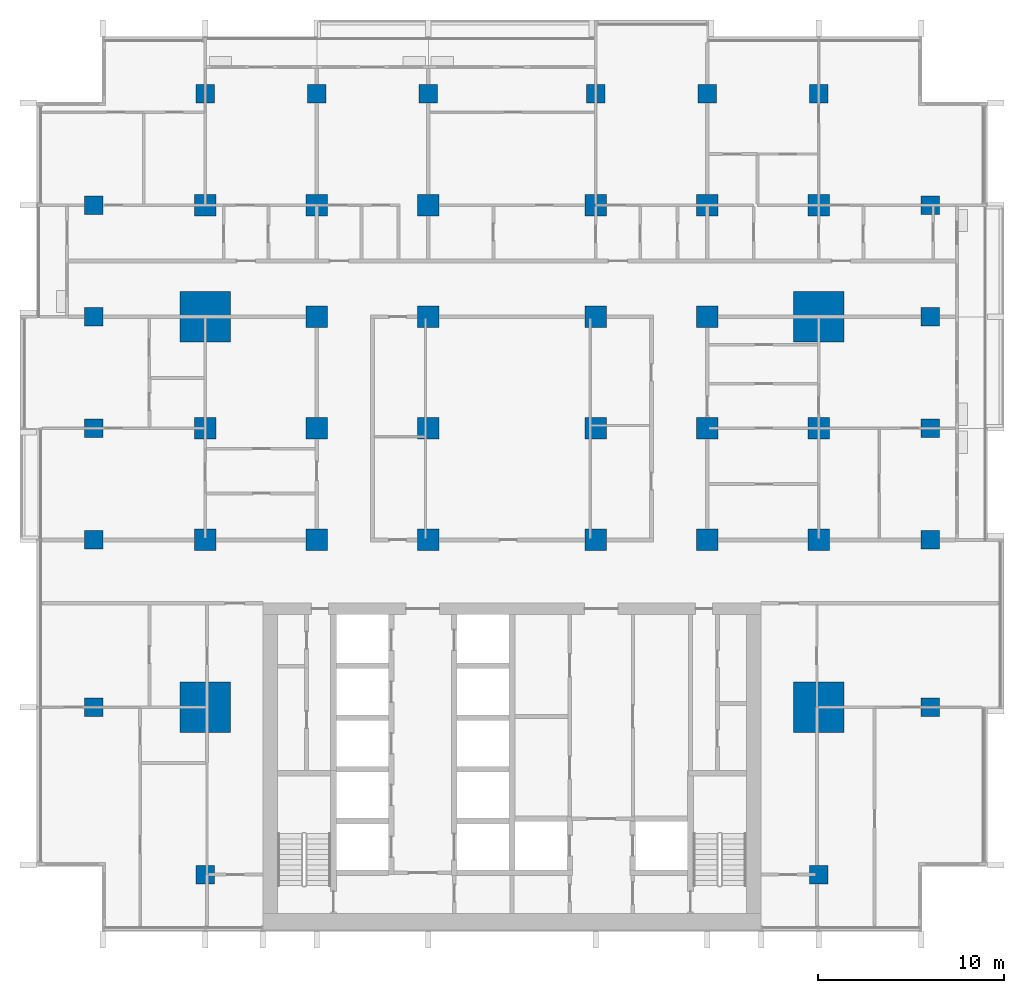
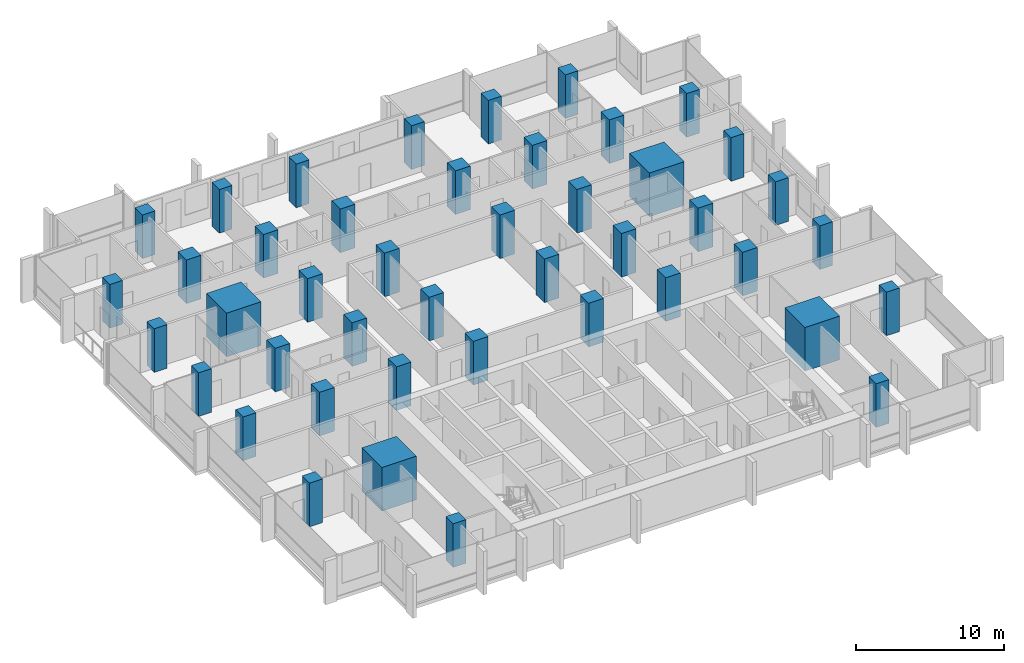
# One storey, part 1 of 18: 44 columns.
"""IFC4 building model written with IfcOpenShell, lengths in metres."""

from ifc_helpers import new_model, si_unit, direction, frame, origin, origin_2d, place, context, subcontext, project, spatial, rectangle, extrude, material, material_profile, profile_set, type_object, element, save


model = new_model("IFC4")

# Units and contexts
model_context = context("Model", 3, precision=1e-05, world=origin(), true_north=direction((0.0, 1.0)))
body_context = subcontext(model_context, "Body", "Model", "MODEL_VIEW")
ifc_project = project(units=[si_unit("LENGTHUNIT", "METRE"), si_unit("AREAUNIT", "SQUARE_METRE"), si_unit("VOLUMEUNIT", "CUBIC_METRE"), si_unit("PLANEANGLEUNIT", "RADIAN"), si_unit("MASSUNIT", "GRAM", prefix="KILO")], contexts=[model_context])

# Site, building, storey
site_placement = place(None, origin())
site = spatial("IfcSite", under=ifc_project, at=site_placement, CompositionType="ELEMENT")
building_placement = place(site_placement, origin())
building = spatial("IfcBuilding", under=site, at=building_placement, Name="Finial Court Residences", CompositionType="ELEMENT")
storey_placement = place(building_placement, frame((0.0, 0.0, 109.89990234375)))
storey = spatial("IfcBuildingStorey", under=building, at=storey_placement, Name="L27", CompositionType="ELEMENT", Elevation=109.89990234375)

# Columns
ifc_material = material(Name="Concrete C70/85", Category="concrete")
ifc_material_profile_1 = material_profile(ifc_material, rectangle(XDim=1.14990234375, YDim=1.14990234375, at=origin_2d()), Name="1150x1150")
ifc_profile_set_1 = profile_set([ifc_material_profile_1], Name="Concrete C70/85")
column_type_1 = type_object("IfcColumnType", Name="Interior column 1150x1150 Concrete C70/85", PredefinedType="COLUMN", material=ifc_profile_set_1)
for number, where, z_axis, x_axis, name in (
    (1, (-16.5, -4.5, 0.0), (0.0, 0.0, 1.0), (1.0, 0.0, 0.0), "S:COL:L27:C4"),
    (2, (-16.5, 1.5, 0.0), (0.0, 0.0, 1.0), (1.0, 0.0, 0.0), "S:COL:L27:C5"),
    (3, (-16.5, 13.5, 0.0), (0.0, 0.0, 1.0), (1.0, 0.0, 0.0), "S:COL:L27:C7"),
    (4, (-10.5, -4.5, 0.0), (0.0, 0.0, 1.0), (1.0, 0.0, 0.0), "S:COL:L27:D4"),
    (5, (-10.5, 1.5, 0.0), (0.0, 0.0, 1.0), (1.0, 0.0, 0.0), "S:COL:L27:D5"),
    (6, (-10.5, 7.5, 0.0), (0.0, 0.0, 1.0), (1.0, 0.0, 0.0), "S:COL:L27:D6"),
    (7, (-10.5, 13.5, 0.0), (0.0, 0.0, 1.0), (1.0, 0.0, 0.0), "S:COL:L27:D7"),
    (8, (-4.5, -4.5, 0.0), (0.0, 0.0, 1.0), (1.0, 0.0, 0.0), "S:COL:L27:E4"),
    (9, (-4.5, 1.5, 0.0), (0.0, 0.0, 1.0), (1.0, 0.0, 0.0), "S:COL:L27:E5"),
    (10, (-4.5, 7.5, 0.0), (0.0, 0.0, 1.0), (1.0, 0.0, 0.0), "S:COL:L27:E6"),
    (11, (-4.5, 13.5, 0.0), (0.0, 0.0, 1.0), (1.0, 0.0, 0.0), "S:COL:L27:E7"),
    (12, (4.5, -4.5, 0.0), (0.0, 0.0, 1.0), (1.0, 0.0, 0.0), "S:COL:L27:F4"),
    (13, (4.5, 1.5, 0.0), (0.0, 0.0, 1.0), (1.0, 0.0, 0.0), "S:COL:L27:F5"),
    (14, (4.5, 7.5, 0.0), (0.0, 0.0, 1.0), (1.0, 0.0, 0.0), "S:COL:L27:F6"),
    (15, (4.5, 13.5, 0.0), (0.0, 0.0, 1.0), (1.0, 0.0, 0.0), "S:COL:L27:F7"),
    (16, (10.5, -4.5, 0.0), (0.0, 0.0, 1.0), (1.0, 0.0, 0.0), "S:COL:L27:G4"),
    (17, (10.5, 1.5, 0.0), (0.0, 0.0, 1.0), (1.0, 0.0, 0.0), "S:COL:L27:G5"),
    (18, (10.5, 7.5, 0.0), (0.0, 0.0, 1.0), (1.0, 0.0, 0.0), "S:COL:L27:G6"),
    (19, (10.5, 13.5, 0.0), (0.0, 0.0, 1.0), (1.0, 0.0, 0.0), "S:COL:L27:G7"),
    (20, (16.5, -4.5, 0.0), (0.0, 0.0, 1.0), (1.0, 0.0, 0.0), "S:COL:L27:H4"),
    (21, (16.5, 1.5, 0.0), (0.0, 0.0, 1.0), (1.0, 0.0, 0.0), "S:COL:L27:H5"),
    (22, (16.5, 13.5, 0.0), (0.0, 0.0, 1.0), (1.0, 0.0, 0.0), "S:COL:L27:H7"),
):
    element("IfcColumn", number, at=place(storey_placement, frame(where, z_axis=z_axis, x_axis=x_axis)), inside=storey, type_object=column_type_1, Name=name, PredefinedType="COLUMN", context=body_context, shape_type="SweptSolid", body=[
        extrude(rectangle(XDim=1.14990234375, YDim=1.14990234375, at=origin_2d()), origin(), (0.0, 0.0, 1.0), 3.60009765625),
    ])
ifc_material_profile_2 = material_profile(ifc_material, rectangle(XDim=2.699951171875, YDim=2.699951171875, at=origin_2d()), Name="2700x2700")
ifc_profile_set_2 = profile_set([ifc_material_profile_2], Name="Concrete C70/85")
column_type_2 = type_object("IfcColumnType", Name="Mega column 2700x2700 Concrete C70/85", PredefinedType="COLUMN", material=ifc_profile_set_2)
for number, where, z_axis, x_axis, name in (
    (23, (-16.5, -13.5, 0.0), (0.0, 0.0, 1.0), (1.0, 0.0, 0.0), "S:COL:L27:C3"),
    (24, (-16.5, 7.5, 0.0), (0.0, 0.0, 1.0), (1.0, 0.0, 0.0), "S:COL:L27:C6"),
    (25, (16.5, -13.5, 0.0), (0.0, 0.0, 1.0), (1.0, 0.0, 0.0), "S:COL:L27:H3"),
    (26, (16.5, 7.5, 0.0), (0.0, 0.0, 1.0), (1.0, 0.0, 0.0), "S:COL:L27:H6"),
):
    element("IfcColumn", number, at=place(storey_placement, frame(where, z_axis=z_axis, x_axis=x_axis)), inside=storey, type_object=column_type_2, Name=name, PredefinedType="COLUMN", context=body_context, shape_type="SweptSolid", body=[
        extrude(rectangle(XDim=2.699951171875, YDim=2.699951171875, at=origin_2d()), origin(), (0.0, 0.0, 1.0), 3.60009765625),
    ])
ifc_material_profile_3 = material_profile(ifc_material, rectangle(XDim=1.0, YDim=1.0, at=origin_2d()), Name="1000x1000")
ifc_profile_set_3 = profile_set([ifc_material_profile_3], Name="Concrete C70/85")
column_type_3 = type_object("IfcColumnType", Name="Perimeter column 1000x1000 Concrete C70/85", PredefinedType="COLUMN", material=ifc_profile_set_3)
for number, where, z_axis, x_axis, name in (
    (27, (-22.5, -13.5, 0.0), (0.0, 0.0, 1.0), (1.0, 0.0, 0.0), "S:COL:L27:B3"),
    (28, (-22.5, -4.5, 0.0), (0.0, 0.0, 1.0), (1.0, 0.0, 0.0), "S:COL:L27:B4"),
    (29, (-22.5, 1.5, 0.0), (0.0, 0.0, 1.0), (1.0, 0.0, 0.0), "S:COL:L27:B5"),
    (30, (-22.5, 7.5, 0.0), (0.0, 0.0, 1.0), (1.0, 0.0, 0.0), "S:COL:L27:B6"),
    (31, (-22.5, 13.5, 0.0), (0.0, 0.0, 1.0), (1.0, 0.0, 0.0), "S:COL:L27:B7"),
    (32, (-16.5, -22.5, 0.0), (0.0, 0.0, 1.0), (1.0, 0.0, 0.0), "S:COL:L27:C2"),
    (33, (-16.5, 19.5, 0.0), (0.0, 0.0, 1.0), (1.0, 0.0, 0.0), "S:COL:L27:C8"),
    (34, (-10.5, 19.5, 0.0), (0.0, 0.0, 1.0), (1.0, 0.0, 0.0), "S:COL:L27:D8"),
    (35, (-4.5, 19.5, 0.0), (0.0, 0.0, 1.0), (1.0, 0.0, 0.0), "S:COL:L27:E8"),
    (36, (4.5, 19.5, 0.0), (0.0, 0.0, 1.0), (1.0, 0.0, 0.0), "S:COL:L27:F8"),
    (37, (10.5, 19.5, 0.0), (0.0, 0.0, 1.0), (1.0, 0.0, 0.0), "S:COL:L27:G8"),
    (38, (16.5, -22.5, 0.0), (0.0, 0.0, 1.0), (1.0, 0.0, 0.0), "S:COL:L27:H2"),
    (39, (16.5, 19.5, 0.0), (0.0, 0.0, 1.0), (1.0, 0.0, 0.0), "S:COL:L27:H8"),
    (40, (22.5, -13.5, 0.0), (0.0, 0.0, 1.0), (1.0, 0.0, 0.0), "S:COL:L27:I3"),
    (41, (22.5, -4.5, 0.0), (0.0, 0.0, 1.0), (1.0, 0.0, 0.0), "S:COL:L27:I4"),
    (42, (22.5, 1.5, 0.0), (0.0, 0.0, 1.0), (1.0, 0.0, 0.0), "S:COL:L27:I5"),
    (43, (22.5, 7.5, 0.0), (0.0, 0.0, 1.0), (1.0, 0.0, 0.0), "S:COL:L27:I6"),
    (44, (22.5, 13.5, 0.0), (0.0, 0.0, 1.0), (1.0, 0.0, 0.0), "S:COL:L27:I7"),
):
    element("IfcColumn", number, at=place(storey_placement, frame(where, z_axis=z_axis, x_axis=x_axis)), inside=storey, type_object=column_type_3, Name=name, PredefinedType="COLUMN", context=body_context, shape_type="SweptSolid", body=[
        extrude(rectangle(XDim=1.0, YDim=1.0, at=origin_2d()), origin(), (0.0, 0.0, 1.0), 3.60009765625),
    ])

save(model, "model.ifc")
